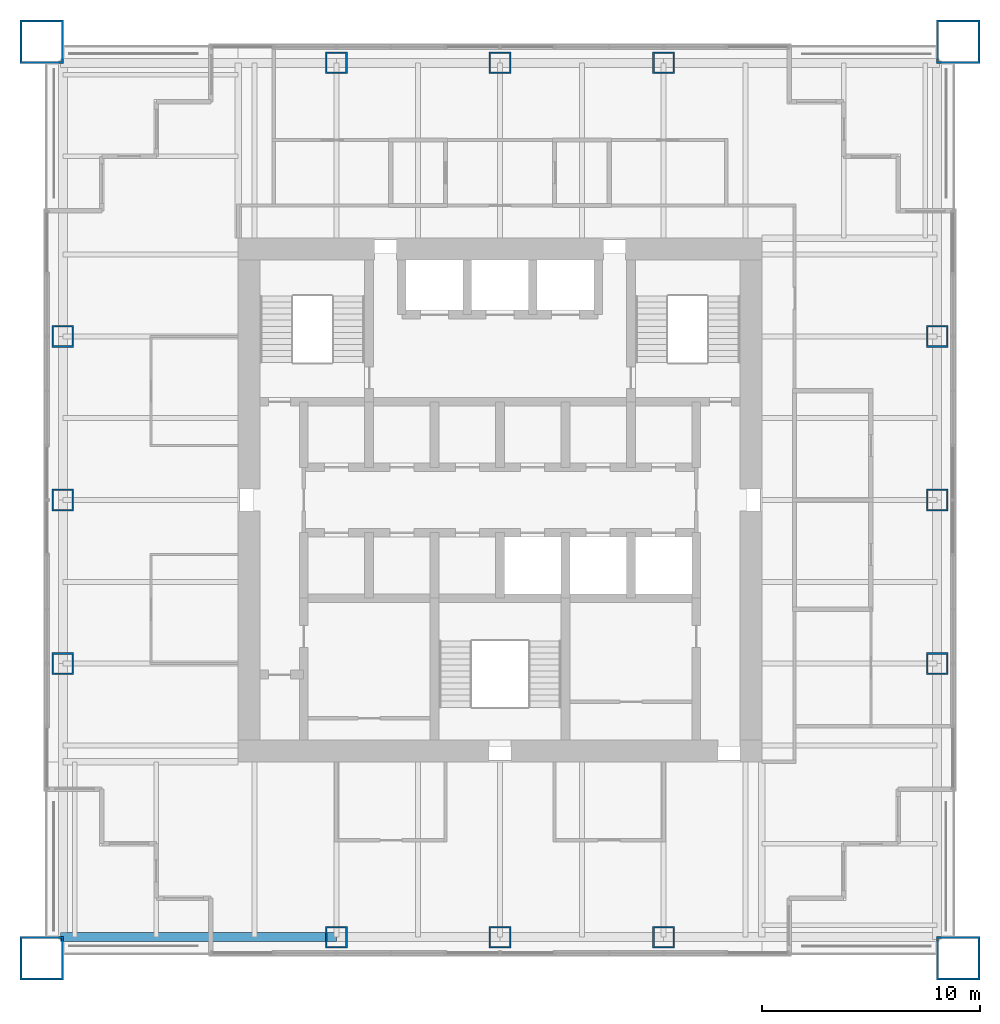
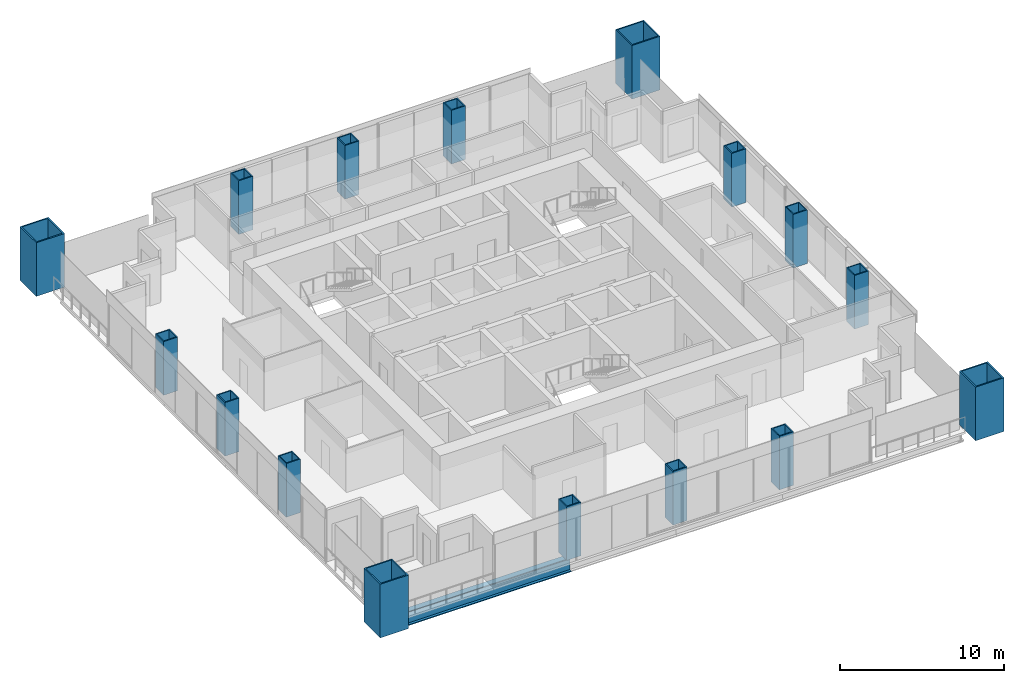
# One storey, part 1 of 14: 16 columns, 1 beam.
"""IFC4 building model written with IfcOpenShell, lengths in metres."""

from ifc_helpers import new_model, si_unit, direction, frame, origin, origin_2d, place, context, subcontext, project, spatial, hollow_rectangle, i_section, extrude, material, material_profile, profile_set, type_object, element, save


model = new_model("IFC4")

# Units and contexts
model_context = context("Model", 3, precision=1e-05, world=origin(), true_north=direction((0.0, 1.0)))
body_context = subcontext(model_context, "Body", "Model", "MODEL_VIEW")
ifc_project = project(units=[si_unit("LENGTHUNIT", "METRE"), si_unit("AREAUNIT", "SQUARE_METRE"), si_unit("VOLUMEUNIT", "CUBIC_METRE"), si_unit("PLANEANGLEUNIT", "RADIAN"), si_unit("MASSUNIT", "GRAM", prefix="KILO")], contexts=[model_context])

# Site, building, storey
site_placement = place(None, origin())
site = spatial("IfcSite", under=ifc_project, at=site_placement, CompositionType="ELEMENT")
building_placement = place(site_placement, origin())
building = spatial("IfcBuilding", under=site, at=building_placement, Name="Tarangal Relay Tower", CompositionType="ELEMENT")
storey_placement = place(building_placement, frame((0.0, 0.0, 319.89990234375)))
storey = spatial("IfcBuildingStorey", under=building, at=storey_placement, Name="L71", CompositionType="ELEMENT", Elevation=319.89990234375)

# Columns
ifc_material_1 = material(Name="Steel ASTM A572 Grade 50", Category="steel")
ifc_material_profile_1 = material_profile(ifc_material_1, hollow_rectangle(XDim=2.0, YDim=2.0, WallThickness=0.094970703125, at=origin_2d()), Name="BOX2000X2000X95")
ifc_profile_set_1 = profile_set([ifc_material_profile_1], Name="Steel ASTM A572 Grade 50")
column_type_1 = type_object("IfcColumnType", Name="Mega column BOX2000X2000X95", PredefinedType="COLUMN", material=ifc_profile_set_1)
for number, where, z_axis, x_axis, name in (
    (1, (21.0, 21.0, 0.0), (0.0, 0.0, 1.0), (1.0, 0.0, 0.0), "Mega column MC4 NE L71"),
    (2, (21.0, -21.0, 0.0), (0.0, 0.0, 1.0), (1.0, 0.0, 0.0), "Mega column MC4 SE L71"),
    (3, (-21.0, -21.0, 0.0), (0.0, 0.0, 1.0), (1.0, 0.0, 0.0), "Mega column MC4 SW L71"),
    (4, (-21.0, 21.0, 0.0), (0.0, 0.0, 1.0), (1.0, 0.0, 0.0), "Mega column MC4 NW L71"),
):
    element("IfcColumn", number, at=place(storey_placement, frame(where, z_axis=z_axis, x_axis=x_axis)), inside=storey, type_object=column_type_1, Name=name, PredefinedType="COLUMN", context=body_context, shape_type="SweptSolid", body=[
        extrude(hollow_rectangle(XDim=2.0, YDim=2.0, WallThickness=0.094970703125, at=origin_2d()), origin(), (0.0, 0.0, 1.0), 4.0),
    ])
ifc_material_profile_2 = material_profile(ifc_material_1, hollow_rectangle(XDim=1.0, YDim=1.0, WallThickness=0.074951171875, at=origin_2d()), Name="BOX1000X1000X75")
ifc_profile_set_2 = profile_set([ifc_material_profile_2], Name="Steel ASTM A572 Grade 50")
column_type_2 = type_object("IfcColumnType", Name="Perimeter column BOX1000X1000X75", PredefinedType="COLUMN", material=ifc_profile_set_2)
for number, where, z_axis, x_axis, name in (
    (5, (-7.5, 20.0400390625, 0.0), (0.0, 0.0, 1.0), (1.0, 0.0, 0.0), "Perimeter column PC5 N L71"),
    (6, (0.0, 20.0400390625, 0.0), (0.0, 0.0, 1.0), (1.0, 0.0, 0.0), "Perimeter column PC5 N L71"),
    (7, (7.5, 20.0400390625, 0.0), (0.0, 0.0, 1.0), (1.0, 0.0, 0.0), "Perimeter column PC5 N L71"),
    (8, (20.0400390625, 7.5, 0.0), (0.0, 0.0, 1.0), (1.0, 0.0, 0.0), "Perimeter column PC5 E L71"),
    (9, (20.0400390625, 0.0, 0.0), (0.0, 0.0, 1.0), (1.0, 0.0, 0.0), "Perimeter column PC5 E L71"),
    (10, (20.0400390625, -7.5, 0.0), (0.0, 0.0, 1.0), (1.0, 0.0, 0.0), "Perimeter column PC5 E L71"),
    (11, (7.5, -20.0400390625, 0.0), (0.0, 0.0, 1.0), (1.0, 0.0, 0.0), "Perimeter column PC5 S L71"),
    (12, (0.0, -20.0400390625, 0.0), (0.0, 0.0, 1.0), (1.0, 0.0, 0.0), "Perimeter column PC5 S L71"),
    (13, (-7.5, -20.0400390625, 0.0), (0.0, 0.0, 1.0), (1.0, 0.0, 0.0), "Perimeter column PC5 S L71"),
    (14, (-20.0400390625, -7.5, 0.0), (0.0, 0.0, 1.0), (1.0, 0.0, 0.0), "Perimeter column PC5 W L71"),
    (15, (-20.0400390625, 0.0, 0.0), (0.0, 0.0, 1.0), (1.0, 0.0, 0.0), "Perimeter column PC5 W L71"),
    (16, (-20.0400390625, 7.5, 0.0), (0.0, 0.0, 1.0), (1.0, 0.0, 0.0), "Perimeter column PC5 W L71"),
):
    element("IfcColumn", number, at=place(storey_placement, frame(where, z_axis=z_axis, x_axis=x_axis)), inside=storey, type_object=column_type_2, Name=name, PredefinedType="COLUMN", context=body_context, shape_type="SweptSolid", body=[
        extrude(hollow_rectangle(XDim=1.0, YDim=1.0, WallThickness=0.074951171875, at=origin_2d()), origin(), (0.0, 0.0, 1.0), 4.0),
    ])

# Beam
ifc_material_2 = material(Name="Steel ASTM A992", Category="steel")
ifc_material_profile_3 = material_profile(ifc_material_2, i_section(OverallWidth=0.41162109375, OverallDepth=1.049072265625, WebThickness=0.033935546875, FlangeThickness=0.059814453125, at=origin_2d()), Name="W40X431")
ifc_profile_set_3 = profile_set([ifc_material_profile_3], Name="Steel ASTM A992")
beam_type = type_object("IfcBeamType", Name="Edge girder W40X431", PredefinedType="SPANDREL", material=ifc_profile_set_3)
beam_placement = place(storey_placement, frame((-7.5, -20.0400390625, -0.67431640625), z_axis=(-1.0, 0.0, 0.0), x_axis=(0.0, -1.0, 0.0)))
element("IfcBeam", 17, at=beam_placement, inside=storey, type_object=beam_type, Name="Edge girder EG1 S L71", PredefinedType="SPANDREL", context=body_context, shape_type="SweptSolid", body=[
    extrude(i_section(OverallWidth=0.41162109375, OverallDepth=1.049072265625, WebThickness=0.033935546875, FlangeThickness=0.059814453125, at=origin_2d()), origin(), (0.0, 0.0, 1.0), 12.64990234375),
])

save(model, "model.ifc")
